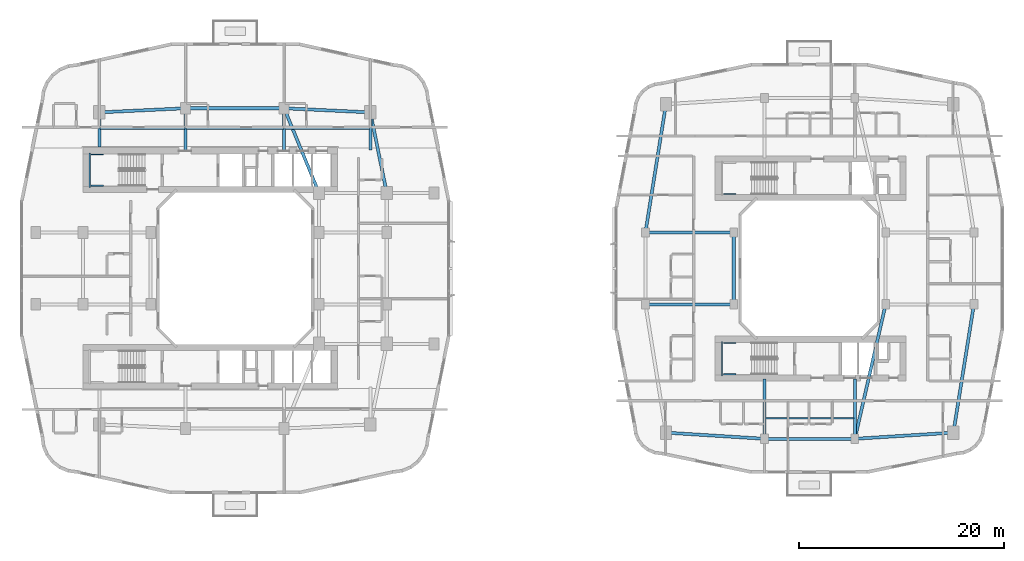
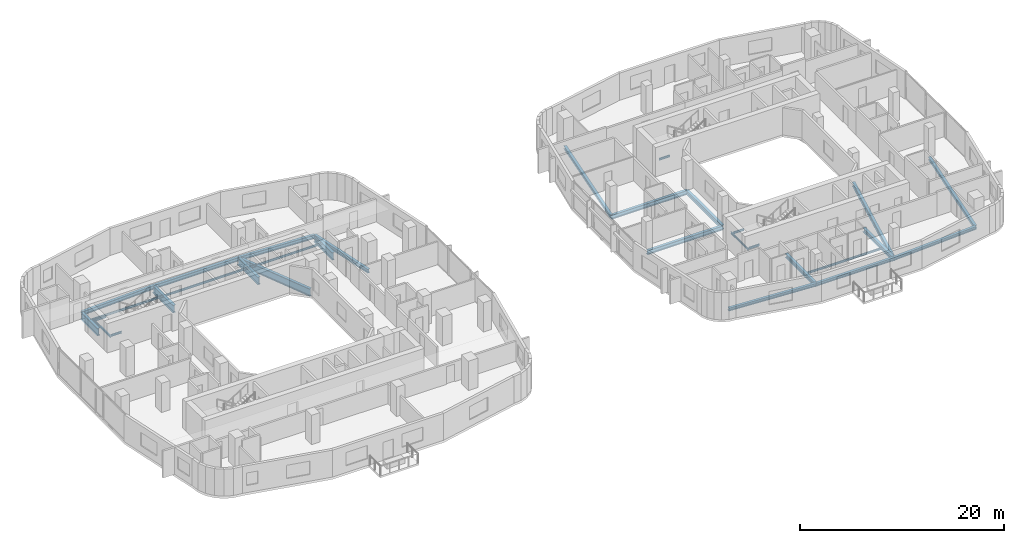
# One storey, part 5 of 22: 31 beams.
"""IFC4 building model written with IfcOpenShell, lengths in metres."""

from ifc_helpers import new_model, si_unit, derived_unit, direction, frame, origin, origin_2d, place, context, subcontext, project, spatial, i_section, extrude, material, material_profile, profile_set, type_object, element, save


model = new_model("IFC4")

# Units and contexts
model_context = context("Model", 3, precision=1e-05, world=origin(), true_north=direction((0.0, 1.0)))
body_context = subcontext(model_context, "Body", "Model", "MODEL_VIEW")
ifc_project = project(units=[si_unit("LENGTHUNIT", "METRE"), si_unit("AREAUNIT", "SQUARE_METRE"), si_unit("VOLUMEUNIT", "CUBIC_METRE"), si_unit("PLANEANGLEUNIT", "RADIAN"), si_unit("MASSUNIT", "GRAM", prefix="KILO"), derived_unit("THERMALTRANSMITTANCEUNIT", [(si_unit("POWERUNIT", "WATT"), 1), (si_unit("LENGTHUNIT", "METRE"), -2), (si_unit("THERMODYNAMICTEMPERATUREUNIT", "KELVIN"), -1)])], contexts=[model_context])

# Site, building, storey
site_placement = place(None, origin())
site = spatial("IfcSite", under=ifc_project, at=site_placement, CompositionType="ELEMENT")
building_placement = place(site_placement, origin())
building = spatial("IfcBuilding", under=site, at=building_placement, Name="Kivonza Crest Hotel", CompositionType="ELEMENT")
storey_placement = place(building_placement, frame((0.0, 0.0, 27.5)))
storey = spatial("IfcBuildingStorey", under=building, at=storey_placement, Name="L06", CompositionType="ELEMENT", Elevation=27.5)

# Beams
ifc_material = material(Name="Steel S355", Category="steel")
ifc_material_profile_1 = material_profile(ifc_material, i_section(OverallWidth=0.300048828125, OverallDepth=0.360107421875, WebThickness=0.012451171875, FlangeThickness=0.0224609375, FilletRadius=0.027099609375, at=origin_2d()), Name="HEB 360")
ifc_profile_set_1 = profile_set([ifc_material_profile_1], Name="Steel S355")
beam_type_1 = type_object("IfcBeamType", Name="BM-HEB360", PredefinedType="SPANDREL", material=ifc_profile_set_1)
beam_1_placement = place(storey_placement, frame((72.60009765625, 8.39990234375, -0.429931640625), z_axis=(1.0, 0.0, 0.0), x_axis=(0.0, 1.0, 0.0)))
element("IfcBeam", 1, at=beam_1_placement, inside=storey, type_object=beam_type_1, Name="Companion Tower T2 L06 perimeter spandrel S1-S2", PredefinedType="SPANDREL", context=body_context, shape_type="SweptSolid", body=[
    extrude(i_section(OverallWidth=0.300048828125, OverallDepth=0.360107421875, WebThickness=0.012451171875, FlangeThickness=0.0224609375, FilletRadius=0.027099609375, at=origin_2d()), origin(), (0.0, 0.0, 1.0), 8.7998046875),
])
beam_2_placement = place(storey_placement, frame((81.39990234375, 8.39990234375, -0.429931640625), z_axis=(0.998051985873, 0.062387767186, 0.0), x_axis=(-0.062387767186, 0.998051985873, 0.0)))
element("IfcBeam", 2, at=beam_2_placement, inside=storey, type_object=beam_type_1, Name="Companion Tower T2 L06 perimeter spandrel S2-SE", PredefinedType="SPANDREL", context=body_context, shape_type="SweptSolid", body=[
    extrude(i_section(OverallWidth=0.300048828125, OverallDepth=0.360107421875, WebThickness=0.012451171875, FlangeThickness=0.0224609375, FilletRadius=0.027099609375, at=origin_2d()), origin(), (0.0, 0.0, 1.0), 9.618896484375),
])
for number, where, z_axis, x_axis, name in (
    (3, (91.0, 9.0, -0.429931640625), (0.157990501107, 0.987440631917, 0.0), (-0.987440631917, 0.157990501107, 0.0), "Companion Tower T2 L06 perimeter spandrel SE-E1"),
    (4, (63.0, 41.0, -0.429931640625), (-0.157990501107, -0.987440631917, 0.0), (0.987440631917, -0.157990501107, 0.0), "Companion Tower T2 L06 perimeter spandrel NW-W2"),
):
    element("IfcBeam", number, at=place(storey_placement, frame(where, z_axis=z_axis, x_axis=x_axis)), inside=storey, type_object=beam_type_1, Name=name, PredefinedType="SPANDREL", context=body_context, shape_type="SweptSolid", body=[
        extrude(i_section(OverallWidth=0.300048828125, OverallDepth=0.360107421875, WebThickness=0.012451171875, FlangeThickness=0.0224609375, FilletRadius=0.027099609375, at=origin_2d()), origin(), (0.0, 0.0, 1.0), 12.658935546875),
    ])
beam_3_placement = place(storey_placement, frame((63.0, 9.0, -0.429931640625), z_axis=(0.998051985873, -0.062387767186, 0.0), x_axis=(0.062387767186, 0.998051985873, 0.0)))
element("IfcBeam", 5, at=beam_3_placement, inside=storey, type_object=beam_type_1, Name="Companion Tower T2 L06 perimeter spandrel SW-S1", PredefinedType="SPANDREL", context=body_context, shape_type="SweptSolid", body=[
    extrude(i_section(OverallWidth=0.300048828125, OverallDepth=0.360107421875, WebThickness=0.012451171875, FlangeThickness=0.0224609375, FilletRadius=0.027099609375, at=origin_2d()), origin(), (0.0, 0.0, 1.0), 9.618896484375),
])
ifc_material_profile_2 = material_profile(ifc_material, i_section(OverallWidth=0.300048828125, OverallDepth=0.449951171875, WebThickness=0.013916015625, FlangeThickness=0.02587890625, FilletRadius=0.027099609375, at=origin_2d()), Name="HEB 450")
ifc_profile_set_2 = profile_set([ifc_material_profile_2], Name="Steel S355")
beam_type_2 = type_object("IfcBeamType", Name="BM-HEB450", PredefinedType="SPANDREL", material=ifc_profile_set_2)
beam_4_placement = place(storey_placement, frame((35.800048828125, 32.35009765625, -0.5048828125), z_axis=(-0.199730733965, 0.979850822273, 0.0), x_axis=(-0.979850822273, -0.199730733965, 0.0)))
element("IfcBeam", 6, at=beam_4_placement, inside=storey, type_object=beam_type_2, Name="Tower T1 L06 perimeter spandrel PNE-NE", PredefinedType="SPANDREL", context=body_context, shape_type="SweptSolid", body=[
    extrude(i_section(OverallWidth=0.300048828125, OverallDepth=0.449951171875, WebThickness=0.013916015625, FlangeThickness=0.02587890625, FilletRadius=0.027099609375, at=origin_2d()), origin(), (0.0, 0.0, 1.0), 8.01123046875),
])
beam_5_placement = place(storey_placement, frame((34.199951171875, 40.199951171875, -0.5048828125), z_axis=(-0.998867283688, 0.047583080799, 0.0), x_axis=(-0.047583080799, -0.998867283688, 0.0)))
element("IfcBeam", 7, at=beam_5_placement, inside=storey, type_object=beam_type_2, Name="Tower T1 L06 perimeter spandrel NE-N2", PredefinedType="SPANDREL", context=body_context, shape_type="SweptSolid", body=[
    extrude(i_section(OverallWidth=0.300048828125, OverallDepth=0.449951171875, WebThickness=0.013916015625, FlangeThickness=0.02587890625, FilletRadius=0.027099609375, at=origin_2d()), origin(), (0.0, 0.0, 1.0), 8.409423828125),
])
beam_6_placement = place(storey_placement, frame((25.800048828125, 40.60009765625, -0.5048828125), z_axis=(-1.0, 0.0, 0.0), x_axis=(0.0, -1.0, 0.0)))
element("IfcBeam", 8, at=beam_6_placement, inside=storey, type_object=beam_type_2, Name="Tower T1 L06 perimeter spandrel N2-N1", PredefinedType="SPANDREL", context=body_context, shape_type="SweptSolid", body=[
    extrude(i_section(OverallWidth=0.300048828125, OverallDepth=0.449951171875, WebThickness=0.013916015625, FlangeThickness=0.02587890625, FilletRadius=0.027099609375, at=origin_2d()), origin(), (0.0, 0.0, 1.0), 9.60009765625),
])
beam_7_placement = place(storey_placement, frame((16.199951171875, 40.60009765625, -0.5048828125), z_axis=(-0.998867283688, -0.047583080799, 0.0), x_axis=(0.047583080799, -0.998867283688, 0.0)))
element("IfcBeam", 9, at=beam_7_placement, inside=storey, type_object=beam_type_2, Name="Tower T1 L06 perimeter spandrel N1-NW", PredefinedType="SPANDREL", context=body_context, shape_type="SweptSolid", body=[
    extrude(i_section(OverallWidth=0.300048828125, OverallDepth=0.449951171875, WebThickness=0.013916015625, FlangeThickness=0.02587890625, FilletRadius=0.027099609375, at=origin_2d()), origin(), (0.0, 0.0, 1.0), 8.409423828125),
])
ifc_material_profile_3 = material_profile(ifc_material, i_section(OverallWidth=0.300048828125, OverallDepth=0.5, WebThickness=0.014404296875, FlangeThickness=0.028076171875, FilletRadius=0.027099609375, at=origin_2d()), Name="HEB 500")
ifc_profile_set_3 = profile_set([ifc_material_profile_3], Name="Steel S355")
beam_type_3 = type_object("IfcBeamType", Name="BM-HEB500", PredefinedType="BEAM", material=ifc_profile_set_3)
for number, where, z_axis, x_axis, name in (
    (10, (61.0, 21.5, -0.5), (1.0, 0.0, 0.0), (0.0, 1.0, 0.0), "Companion Tower T2 L06 girder W1-WL1"),
    (11, (61.0, 28.5, -0.5), (1.0, 0.0, 0.0), (0.0, 1.0, 0.0), "Companion Tower T2 L06 girder W2-WL2"),
):
    element("IfcBeam", number, at=place(storey_placement, frame(where, z_axis=z_axis, x_axis=x_axis)), inside=storey, type_object=beam_type_3, Name=name, PredefinedType="BEAM", context=body_context, shape_type="SweptSolid", body=[
        extrude(i_section(OverallWidth=0.300048828125, OverallDepth=0.5, WebThickness=0.014404296875, FlangeThickness=0.028076171875, FilletRadius=0.027099609375, at=origin_2d()), origin(), (0.0, 0.0, 1.0), 8.60009765625),
    ])
beam_8_placement = place(storey_placement, frame((69.60009765625, 21.5, -0.5), z_axis=(0.0, 1.0, 0.0), x_axis=(-1.0, 0.0, 0.0)))
element("IfcBeam", 12, at=beam_8_placement, inside=storey, type_object=beam_type_3, Name="Companion Tower T2 L06 girder WL1-WL2", PredefinedType="BEAM", context=body_context, shape_type="SweptSolid", body=[
    extrude(i_section(OverallWidth=0.300048828125, OverallDepth=0.5, WebThickness=0.014404296875, FlangeThickness=0.028076171875, FilletRadius=0.027099609375, at=origin_2d()), origin(), (0.0, 0.0, 1.0), 7.0),
])
beam_9_placement = place(storey_placement, frame((84.39990234375, 21.5, -0.5), z_axis=(-0.223227287589, -0.974766422317, 0.0), x_axis=(0.974766422317, -0.223227287589, 0.0)))
element("IfcBeam", 13, at=beam_9_placement, inside=storey, type_object=beam_type_3, Name="Companion Tower T2 L06 girder WR1-S2", PredefinedType="BEAM", context=body_context, shape_type="SweptSolid", body=[
    extrude(i_section(OverallWidth=0.300048828125, OverallDepth=0.5, WebThickness=0.014404296875, FlangeThickness=0.028076171875, FilletRadius=0.027099609375, at=origin_2d()), origin(), (0.0, 0.0, 1.0), 13.439208984375),
])
for number, where, z_axis, x_axis, name in (
    (14, (72.60009765625, 8.39990234375, -0.5), (0.0, 1.0, 0.0), (-1.0, 0.0, 0.0), "Companion T2 L06 radial core girder RS1"),
    (15, (81.39990234375, 8.39990234375, -0.5), (0.0, 1.0, 0.0), (-1.0, 0.0, 0.0), "Companion T2 L06 radial core girder RS2"),
):
    element("IfcBeam", number, at=place(storey_placement, frame(where, z_axis=z_axis, x_axis=x_axis)), inside=storey, type_object=beam_type_3, Name=name, PredefinedType="BEAM", context=body_context, shape_type="SweptSolid", body=[
        extrude(i_section(OverallWidth=0.300048828125, OverallDepth=0.5, WebThickness=0.014404296875, FlangeThickness=0.028076171875, FilletRadius=0.027099609375, at=origin_2d()), origin(), (0.0, 0.0, 1.0), 5.85009765625),
    ])
ifc_material_profile_4 = material_profile(ifc_material, i_section(OverallWidth=0.300048828125, OverallDepth=0.89990234375, WebThickness=0.0185546875, FlangeThickness=0.034912109375, FilletRadius=0.030029296875, at=origin_2d()), Name="HEB 900")
ifc_profile_set_4 = profile_set([ifc_material_profile_4], Name="Steel S355")
beam_type_4 = type_object("IfcBeamType", Name="BM-HEB900", PredefinedType="BEAM", material=ifc_profile_set_4)
beam_10_placement = place(storey_placement, frame((25.800048828125, 40.60009765625, -0.72998046875), z_axis=(0.381022260404, -0.924565864109, 0.0), x_axis=(0.924565864109, 0.381022260404, 0.0)))
element("IfcBeam", 16, at=beam_10_placement, inside=storey, type_object=beam_type_4, Name="Tower T1 L06 primary girder N1-TNE", PredefinedType="BEAM", context=body_context, shape_type="SweptSolid", body=[
    extrude(i_section(OverallWidth=0.300048828125, OverallDepth=0.89990234375, WebThickness=0.0185546875, FlangeThickness=0.034912109375, FilletRadius=0.030029296875, at=origin_2d()), origin(), (0.0, 0.0, 1.0), 8.923095703125),
])
beam_11_placement = place(storey_placement, frame((7.800048828125, 40.199951171875, -0.72998046875), z_axis=(0.0, -1.0, 0.0), x_axis=(1.0, 0.0, 0.0)))
element("IfcBeam", 17, at=beam_11_placement, inside=storey, type_object=beam_type_4, Name="Tower T1 L06 radial core girder RNW", PredefinedType="BEAM", context=body_context, shape_type="SweptSolid", body=[
    extrude(i_section(OverallWidth=0.300048828125, OverallDepth=0.89990234375, WebThickness=0.0185546875, FlangeThickness=0.034912109375, FilletRadius=0.030029296875, at=origin_2d()), origin(), (0.0, 0.0, 1.0), 3.349853515625),
])
for number, where, z_axis, x_axis, name in (
    (18, (16.199951171875, 40.60009765625, -0.72998046875), (0.0, -1.0, 0.0), (1.0, 0.0, 0.0), "Tower T1 L06 radial core girder RN1"),
    (19, (25.800048828125, 40.60009765625, -0.72998046875), (0.0, -1.0, 0.0), (1.0, 0.0, 0.0), "Tower T1 L06 radial core girder RN2"),
):
    element("IfcBeam", number, at=place(storey_placement, frame(where, z_axis=z_axis, x_axis=x_axis)), inside=storey, type_object=beam_type_4, Name=name, PredefinedType="BEAM", context=body_context, shape_type="SweptSolid", body=[
        extrude(i_section(OverallWidth=0.300048828125, OverallDepth=0.89990234375, WebThickness=0.0185546875, FlangeThickness=0.034912109375, FilletRadius=0.030029296875, at=origin_2d()), origin(), (0.0, 0.0, 1.0), 4.050048828125),
    ])
beam_12_placement = place(storey_placement, frame((34.199951171875, 40.199951171875, -0.72998046875), z_axis=(0.0, -1.0, 0.0), x_axis=(1.0, 0.0, 0.0)))
element("IfcBeam", 20, at=beam_12_placement, inside=storey, type_object=beam_type_4, Name="Tower T1 L06 radial core girder RNE", PredefinedType="BEAM", context=body_context, shape_type="SweptSolid", body=[
    extrude(i_section(OverallWidth=0.300048828125, OverallDepth=0.89990234375, WebThickness=0.0185546875, FlangeThickness=0.034912109375, FilletRadius=0.030029296875, at=origin_2d()), origin(), (0.0, 0.0, 1.0), 3.64990234375),
])
ifc_material_profile_5 = material_profile(ifc_material, i_section(OverallWidth=0.1201171875, OverallDepth=0.239990234375, WebThickness=0.006103515625, FlangeThickness=0.009765625, FilletRadius=0.014892578125, at=origin_2d()), Name="IPE 240")
ifc_profile_set_5 = profile_set([ifc_material_profile_5], Name="Steel S355")
beam_type_5 = type_object("IfcBeamType", Name="BM-IPE240", PredefinedType="JOIST", material=ifc_profile_set_5)
beam_13_placement = place(storey_placement, frame((7.8798828125, 38.60009765625, -0.39990234375), z_axis=(1.0, 0.0, 0.0), x_axis=(0.0, 1.0, 0.0)))
element("IfcBeam", 21, at=beam_13_placement, inside=storey, type_object=beam_type_5, Name="Tower T1 L06 North-West floor joist", PredefinedType="JOIST", context=body_context, shape_type="SweptSolid", body=[
    extrude(i_section(OverallWidth=0.1201171875, OverallDepth=0.239990234375, WebThickness=0.006103515625, FlangeThickness=0.009765625, FilletRadius=0.014892578125, at=origin_2d()), origin(), (0.0, 0.0, 1.0), 8.240234375),
])
beam_14_placement = place(storey_placement, frame((16.280029296875, 38.60009765625, -0.39990234375), z_axis=(1.0, 0.0, 0.0), x_axis=(0.0, 1.0, 0.0)))
element("IfcBeam", 22, at=beam_14_placement, inside=storey, type_object=beam_type_5, Name="Tower T1 L06 North-Mid floor joist", PredefinedType="JOIST", context=body_context, shape_type="SweptSolid", body=[
    extrude(i_section(OverallWidth=0.1201171875, OverallDepth=0.239990234375, WebThickness=0.006103515625, FlangeThickness=0.009765625, FilletRadius=0.014892578125, at=origin_2d()), origin(), (0.0, 0.0, 1.0), 9.43994140625),
])
beam_15_placement = place(storey_placement, frame((25.8798828125, 38.60009765625, -0.39990234375), z_axis=(1.0, 0.0, 0.0), x_axis=(0.0, 1.0, 0.0)))
element("IfcBeam", 23, at=beam_15_placement, inside=storey, type_object=beam_type_5, Name="Tower T1 L06 North-East floor joist", PredefinedType="JOIST", context=body_context, shape_type="SweptSolid", body=[
    extrude(i_section(OverallWidth=0.1201171875, OverallDepth=0.239990234375, WebThickness=0.006103515625, FlangeThickness=0.009765625, FilletRadius=0.014892578125, at=origin_2d()), origin(), (0.0, 0.0, 1.0), 8.240234375),
])
beam_16_placement = place(storey_placement, frame((72.679931640625, 10.39990234375, -0.3701171875), z_axis=(1.0, 0.0, 0.0), x_axis=(0.0, 1.0, 0.0)))
element("IfcBeam", 24, at=beam_16_placement, inside=storey, type_object=beam_type_5, Name="Companion Tower T2 L06 South floor joist", PredefinedType="JOIST", context=body_context, shape_type="SweptSolid", body=[
    extrude(i_section(OverallWidth=0.1201171875, OverallDepth=0.239990234375, WebThickness=0.006103515625, FlangeThickness=0.009765625, FilletRadius=0.014892578125, at=origin_2d()), origin(), (0.0, 0.0, 1.0), 8.64013671875),
])
ifc_material_profile_6 = material_profile(ifc_material, i_section(OverallWidth=0.1201171875, OverallDepth=0.239990234375, WebThickness=0.006103515625, FlangeThickness=0.009765625, FilletRadius=0.014892578125, at=origin_2d()), Name="IPE 240")
ifc_profile_set_6 = profile_set([ifc_material_profile_6], Name="Steel S355")
beam_type_6 = type_object("IfcBeamType", Name="BM-LLDG-240", PredefinedType="BEAM", material=ifc_profile_set_6)
beam_17_placement = place(storey_placement, frame((6.860107421875, 32.89990234375, 1.429931640625), z_axis=(0.0, 1.0, 0.0), x_axis=(-1.0, 0.0, 0.0)))
element("IfcBeam", 25, at=beam_17_placement, inside=storey, type_object=beam_type_6, Name="Stair ST-T1-N L06 West landing corbel", PredefinedType="BEAM", context=body_context, shape_type="SweptSolid", body=[
    extrude(i_section(OverallWidth=0.1201171875, OverallDepth=0.239990234375, WebThickness=0.006103515625, FlangeThickness=0.009765625, FilletRadius=0.014892578125, at=origin_2d()), origin(), (0.0, 0.0, 1.0), 3.360107421875),
])
for number, where, z_axis, x_axis, name in (
    (26, (6.989990234375, 33.06005859375, 1.429931640625), (1.0, 0.0, 0.0), (0.0, 1.0, 0.0), "Stair ST-T1-N L06 South landing corbel"),
    (27, (6.989990234375, 36.10009765625, 1.429931640625), (1.0, 0.0, 0.0), (0.0, 1.0, 0.0), "Stair ST-T1-N L06 North landing corbel"),
    (28, (68.590087890625, 32.260009765625, 1.429931640625), (1.0, 0.0, 0.0), (0.0, 1.0, 0.0), "Stair ST-T2-N L06 South landing corbel"),
):
    element("IfcBeam", number, at=place(storey_placement, frame(where, z_axis=z_axis, x_axis=x_axis)), inside=storey, type_object=beam_type_6, Name=name, PredefinedType="BEAM", context=body_context, shape_type="SweptSolid", body=[
        extrude(i_section(OverallWidth=0.1201171875, OverallDepth=0.239990234375, WebThickness=0.006103515625, FlangeThickness=0.009765625, FilletRadius=0.014892578125, at=origin_2d()), origin(), (0.0, 0.0, 1.0), 1.2099609375),
    ])
beam_18_placement = place(storey_placement, frame((68.4599609375, 14.5400390625, 1.429931640625), z_axis=(0.0, 1.0, 0.0), x_axis=(-1.0, 0.0, 0.0)))
element("IfcBeam", 29, at=beam_18_placement, inside=storey, type_object=beam_type_6, Name="Stair ST-T2-S L06 West landing corbel", PredefinedType="BEAM", context=body_context, shape_type="SweptSolid", body=[
    extrude(i_section(OverallWidth=0.1201171875, OverallDepth=0.239990234375, WebThickness=0.006103515625, FlangeThickness=0.009765625, FilletRadius=0.014892578125, at=origin_2d()), origin(), (0.0, 0.0, 1.0), 3.35986328125),
])
for number, where, z_axis, x_axis, name in (
    (30, (68.590087890625, 14.699951171875, 1.429931640625), (1.0, 0.0, 0.0), (0.0, 1.0, 0.0), "Stair ST-T2-S L06 South landing corbel"),
    (31, (68.590087890625, 17.739990234375, 1.429931640625), (1.0, 0.0, 0.0), (0.0, 1.0, 0.0), "Stair ST-T2-S L06 North landing corbel"),
):
    element("IfcBeam", number, at=place(storey_placement, frame(where, z_axis=z_axis, x_axis=x_axis)), inside=storey, type_object=beam_type_6, Name=name, PredefinedType="BEAM", context=body_context, shape_type="SweptSolid", body=[
        extrude(i_section(OverallWidth=0.1201171875, OverallDepth=0.239990234375, WebThickness=0.006103515625, FlangeThickness=0.009765625, FilletRadius=0.014892578125, at=origin_2d()), origin(), (0.0, 0.0, 1.0), 1.2099609375),
    ])

save(model, "model.ifc")
